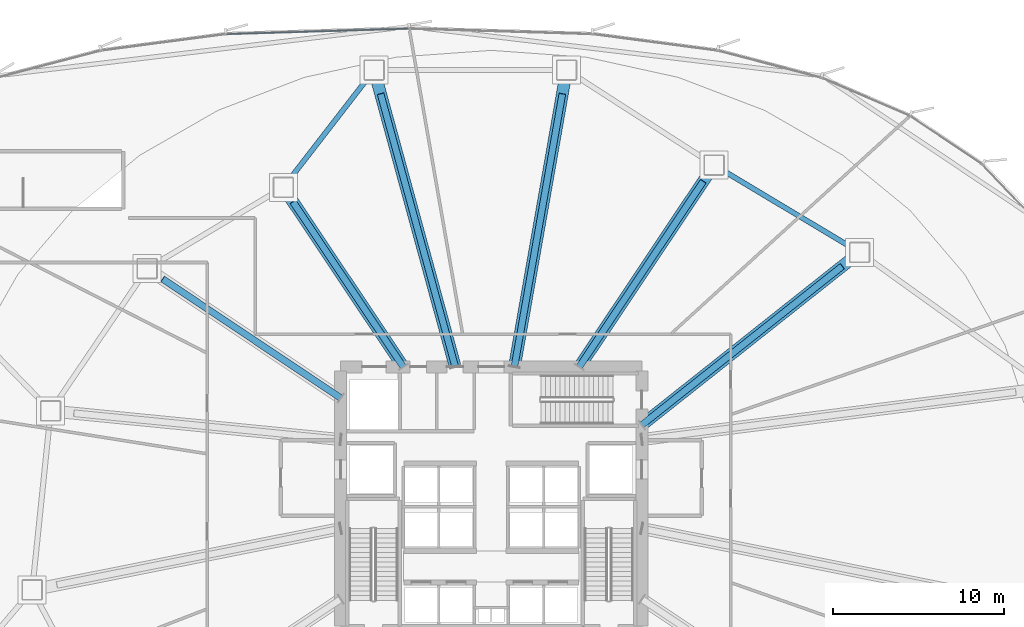
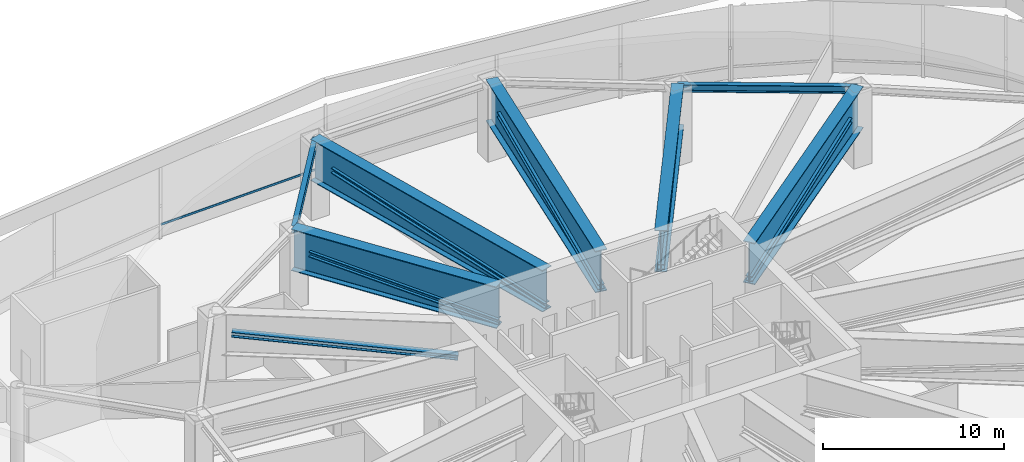
# One storey, part 15 of 36: 7 beams, 7 members, 1 element without a shape of its own.
"""IFC4 building model written with IfcOpenShell, lengths in metres."""

from ifc_helpers import new_model, si_unit, direction, frame, origin, origin_2d, place, context, subcontext, project, spatial, hollow_rectangle, i_section, extrude, source, transform, mapped, material, layer, layer_set, material_profile, profile_set, type_object, element, aggregate, save


model = new_model("IFC4")

# Units and contexts
model_context = context("Model", 3, precision=1e-05, world=origin(), true_north=direction((0.0, 1.0)))
body_context = subcontext(model_context, "Body", "Model", "MODEL_VIEW")
ifc_project = project(units=[si_unit("LENGTHUNIT", "METRE"), si_unit("AREAUNIT", "SQUARE_METRE"), si_unit("VOLUMEUNIT", "CUBIC_METRE"), si_unit("PLANEANGLEUNIT", "RADIAN"), si_unit("MASSUNIT", "GRAM", prefix="KILO"), si_unit("THERMODYNAMICTEMPERATUREUNIT", "KELVIN")], contexts=[model_context])

# Site, building, storey
site_placement = place(None, origin())
site = spatial("IfcSite", under=ifc_project, at=site_placement, CompositionType="ELEMENT")
building_placement = place(site_placement, origin())
building = spatial("IfcBuilding", under=site, at=building_placement, Name="Kethvar Cultural Tower", CompositionType="ELEMENT")
storey_placement = place(building_placement, frame((0.0, 0.0, 24.0)))
storey = spatial("IfcBuildingStorey", under=building, at=storey_placement, Name="L05", CompositionType="ELEMENT", Elevation=24.0)

# Beams
ifc_material_1 = material(Name="Steel S355J2", Category="steel")
ifc_material_profile_1 = material_profile(ifc_material_1, i_section(OverallWidth=0.300048828125, OverallDepth=0.5, WebThickness=0.014404296875, FlangeThickness=0.028076171875, FilletRadius=0.027099609375, at=origin_2d()), Name="Steel S355J2 — HEB500")
ifc_profile_set_1 = profile_set([ifc_material_profile_1], Name="Steel S355J2 — HEB500")
beam_type_1 = type_object("IfcBeamType", Name="BM-SP500", PredefinedType="SPANDREL", material=ifc_profile_set_1)
shared_shape_1 = source(origin(), body_context, "Body", "SweptSolid", [
    extrude(i_section(OverallWidth=0.300048828125, OverallDepth=0.5, WebThickness=0.014404296875, FlangeThickness=0.028076171875, FilletRadius=0.027099609375, at=origin_2d()), origin(), (0.0, 0.0, 1.0), 9.924072265625),
])
beam_1_placement = place(storey_placement, frame((68.33642578125, 42.190185546875, 4.865966796875), z_axis=(-0.857664361463, 0.514209921215, 0.0), x_axis=(-0.514209921215, -0.857664361463, 0.0)))
element("IfcBeam", 1, at=beam_1_placement, inside=storey, type_object=beam_type_1, Name="L05 Podium Ring Beam 02", PredefinedType="SPANDREL", context=body_context, shape_type="MappedRepresentation", body=[
    mapped(shared_shape_1, transform((0.0, 0.0, 0.0), scale=1.0)),
])
shared_shape_2 = source(origin(), body_context, "Body", "SweptSolid", [
    extrude(i_section(OverallWidth=0.300048828125, OverallDepth=0.5, WebThickness=0.014404296875, FlangeThickness=0.028076171875, FilletRadius=0.027099609375, at=origin_2d()), origin(), (0.0, 0.0, 1.0), 8.671630859375),
])
beam_2_placement = place(storey_placement, frame((39.949951171875, 52.85009765625, 4.865966796875), z_axis=(-0.611647801721, -0.791130183124, 0.0), x_axis=(0.791130183124, -0.611647801721, 0.0)))
element("IfcBeam", 2, at=beam_2_placement, inside=storey, type_object=beam_type_1, Name="L05 Podium Ring Beam 05", PredefinedType="SPANDREL", context=body_context, shape_type="MappedRepresentation", body=[
    mapped(shared_shape_2, transform((0.0, 0.0, 0.0), scale=1.0)),
])
ifc_material_2 = material(Name="Steel S460M", Category="steel")
ifc_material_profile_2 = material_profile(ifc_material_2, i_section(OverallWidth=0.699951171875, OverallDepth=2.800048828125, WebThickness=0.031982421875, FlangeThickness=0.050048828125, FilletRadius=0.02392578125, at=origin_2d()), Name="Steel S460M — PG2800x700x50x32")
ifc_profile_set_2 = profile_set([ifc_material_profile_2], Name="Steel S460M — PG2800x700x50x32")
beam_type_2 = type_object("IfcBeamType", Name="BM-TR2800", PredefinedType="BEAM", material=ifc_profile_set_2)
shared_shape_3 = source(origin(), body_context, "Body", "SweptSolid", [
    extrude(i_section(OverallWidth=0.699951171875, OverallDepth=2.800048828125, WebThickness=0.031982421875, FlangeThickness=0.050048828125, FilletRadius=0.02392578125, at=origin_2d()), origin(), (0.0, 0.0, 1.0), 16.248779296875),
])
beam_3_placement = place(storey_placement, frame((55.60009765625, 32.10009765625, 3.716064453125), z_axis=(0.783831288624, 0.620973840813, 0.0), x_axis=(-0.620973840813, 0.783831288624, 0.0)))
element("IfcBeam", 3, at=beam_3_placement, inside=storey, type_object=beam_type_2, Name="L05 Composite Transfer Girder TG-02", PredefinedType="BEAM", context=body_context, shape_type="MappedRepresentation", body=[
    mapped(shared_shape_3, transform((0.0, 0.0, 0.0), scale=1.0)),
])

# Member
ifc_material_profile_3 = material_profile(ifc_material_2, i_section(OverallWidth=0.39306640625, OverallDepth=0.345947265625, WebThickness=0.0244140625, FlangeThickness=0.03759765625, FilletRadius=0.014892578125, at=origin_2d()), Name="Steel S460M — HD400x509")
ifc_profile_set_3 = profile_set([ifc_material_profile_3], Name="Steel S460M — HD400x509")
member_type_1 = type_object("IfcMemberType", Name="MB-TR-DIAG", PredefinedType="BRACE", material=ifc_profile_set_3)
shared_shape_4 = source(origin(), body_context, "Body", "SweptSolid", [
    extrude(i_section(OverallWidth=0.39306640625, OverallDepth=0.345947265625, WebThickness=0.0244140625, FlangeThickness=0.03759765625, FilletRadius=0.014892578125, at=origin_2d()), origin(), (0.0, 0.0, 1.0), 14.980712890625),
])
member_1_placement = place(storey_placement, frame((55.60009765625, 32.10009765625, 2.64990234375), z_axis=(0.78215176561, 0.619639422262, 0.065464508948), x_axis=(-0.620971469214, 0.783833167468, 0.0)))
element("IfcMember", 4, at=member_1_placement, inside=storey, type_object=member_type_1, Name="L05 Transfer Truss Diagonal TD-02", PredefinedType="BRACE", context=body_context, shape_type="MappedRepresentation", body=[
    mapped(shared_shape_4, transform((0.0, 0.0, 0.0), scale=1.0)),
])

# Beam
shared_shape_5 = source(origin(), body_context, "Body", "SweptSolid", [
    extrude(i_section(OverallWidth=0.699951171875, OverallDepth=2.800048828125, WebThickness=0.031982421875, FlangeThickness=0.050048828125, FilletRadius=0.02392578125, at=origin_2d()), origin(), (0.0, 0.0, 1.0), 14.18359375),
])
beam_4_placement = place(storey_placement, frame((51.945068359375, 35.5, 3.716064453125), z_axis=(0.55556584065, 0.831472547174, 0.0), x_axis=(-0.831472547174, 0.55556584065, 0.0)))
element("IfcBeam", 5, at=beam_4_placement, inside=storey, type_object=beam_type_2, Name="L05 Composite Transfer Girder TG-03", PredefinedType="BEAM", context=body_context, shape_type="MappedRepresentation", body=[
    mapped(shared_shape_5, transform((0.0, 0.0, 0.0), scale=1.0)),
])

# Member
shared_shape_6 = source(origin(), body_context, "Body", "SweptSolid", [
    extrude(i_section(OverallWidth=0.39306640625, OverallDepth=0.345947265625, WebThickness=0.0244140625, FlangeThickness=0.03759765625, FilletRadius=0.014892578125, at=origin_2d()), origin(), (0.0, 0.0, 1.0), 13.085693359375),
])
member_2_placement = place(storey_placement, frame((51.945068359375, 35.5, 2.64990234375), z_axis=(0.554000982877, 0.829135774232, 0.074945172365), x_axis=(-0.831474165671, 0.555563418362, 0.0)))
element("IfcMember", 6, at=member_2_placement, inside=storey, type_object=member_type_1, Name="L05 Transfer Truss Diagonal TD-03", PredefinedType="BRACE", context=body_context, shape_type="MappedRepresentation", body=[
    mapped(shared_shape_6, transform((0.0, 0.0, 0.0), scale=1.0)),
])

# Beam
shared_shape_7 = source(origin(), body_context, "Body", "SweptSolid", [
    extrude(i_section(OverallWidth=0.699951171875, OverallDepth=2.800048828125, WebThickness=0.031982421875, FlangeThickness=0.050048828125, FilletRadius=0.02392578125, at=origin_2d()), origin(), (0.0, 0.0, 1.0), 17.61572265625),
])
beam_5_placement = place(storey_placement, frame((48.152587890625, 35.5, 3.716064453125), z_axis=(0.172991485085, 0.984923319903, 0.0), x_axis=(-0.984923319903, 0.172991485085, 0.0)))
element("IfcBeam", 7, at=beam_5_placement, inside=storey, type_object=beam_type_2, Name="L05 Composite Transfer Girder TG-04", PredefinedType="BEAM", context=body_context, shape_type="MappedRepresentation", body=[
    mapped(shared_shape_7, transform((0.0, 0.0, 0.0), scale=1.0)),
])

# Member
shared_shape_8 = source(origin(), body_context, "Body", "SweptSolid", [
    extrude(i_section(OverallWidth=0.39306640625, OverallDepth=0.345947265625, WebThickness=0.0244140625, FlangeThickness=0.03759765625, FilletRadius=0.014892578125, at=origin_2d()), origin(), (0.0, 0.0, 1.0), 16.23583984375),
])
member_3_placement = place(storey_placement, frame((48.152587890625, 35.5, 2.64990234375), z_axis=(0.172685619295, 0.983123109501, 0.060403877805), x_axis=(-0.984921557878, 0.173001516835, 0.0)))
element("IfcMember", 8, at=member_3_placement, inside=storey, type_object=member_type_1, Name="L05 Transfer Truss Diagonal TD-04", PredefinedType="BRACE", context=body_context, shape_type="MappedRepresentation", body=[
    mapped(shared_shape_8, transform((0.0, 0.0, 0.0), scale=1.0)),
])

# Beam
shared_shape_9 = source(origin(), body_context, "Body", "SweptSolid", [
    extrude(i_section(OverallWidth=0.699951171875, OverallDepth=2.800048828125, WebThickness=0.031982421875, FlangeThickness=0.050048828125, FilletRadius=0.02392578125, at=origin_2d()), origin(), (0.0, 0.0, 1.0), 17.987060546875),
])
beam_6_placement = place(storey_placement, frame((44.6943359375, 35.5, 3.716064453125), z_axis=(-0.26376624534, 0.964586630541, 0.0), x_axis=(-0.964586630541, -0.26376624534, 0.0)))
element("IfcBeam", 9, at=beam_6_placement, inside=storey, type_object=beam_type_2, Name="L05 Composite Transfer Girder TG-05", PredefinedType="BEAM", context=body_context, shape_type="MappedRepresentation", body=[
    mapped(shared_shape_9, transform((0.0, 0.0, 0.0), scale=1.0)),
])

# Member
shared_shape_10 = source(origin(), body_context, "Body", "SweptSolid", [
    extrude(i_section(OverallWidth=0.39306640625, OverallDepth=0.345947265625, WebThickness=0.0244140625, FlangeThickness=0.03759765625, FilletRadius=0.014892578125, at=origin_2d()), origin(), (0.0, 0.0, 1.0), 16.576904296875),
])
member_4_placement = place(storey_placement, frame((44.6943359375, 35.5, 2.64990234375), z_axis=(-0.26330200813, 0.962897711799, 0.059161213036), x_axis=(-0.964587242824, -0.263764006228, 0.0)))
element("IfcMember", 10, at=member_4_placement, inside=storey, type_object=member_type_1, Name="L05 Transfer Truss Diagonal TD-05", PredefinedType="BRACE", context=body_context, shape_type="MappedRepresentation", body=[
    mapped(shared_shape_10, transform((0.0, 0.0, 0.0), scale=1.0)),
])

# Beam
shared_shape_11 = source(origin(), body_context, "Body", "SweptSolid", [
    extrude(i_section(OverallWidth=0.699951171875, OverallDepth=2.800048828125, WebThickness=0.031982421875, FlangeThickness=0.050048828125, FilletRadius=0.02392578125, at=origin_2d()), origin(), (0.0, 0.0, 1.0), 12.615966796875),
])
beam_7_placement = place(storey_placement, frame((41.655029296875, 35.5, 3.716064453125), z_axis=(-0.555570723257, 0.831469284736, 0.0), x_axis=(-0.831469284736, -0.555570723257, 0.0)))
element("IfcBeam", 11, at=beam_7_placement, inside=storey, type_object=beam_type_2, Name="L05 Composite Transfer Girder TG-06", PredefinedType="BEAM", context=body_context, shape_type="MappedRepresentation", body=[
    mapped(shared_shape_11, transform((0.0, 0.0, 0.0), scale=1.0)),
])

# Members
shared_shape_12 = source(origin(), body_context, "Body", "SweptSolid", [
    extrude(i_section(OverallWidth=0.39306640625, OverallDepth=0.345947265625, WebThickness=0.0244140625, FlangeThickness=0.03759765625, FilletRadius=0.014892578125, at=origin_2d()), origin(), (0.0, 0.0, 1.0), 11.647705078125),
])
member_5_placement = place(storey_placement, frame((41.655029296875, 35.5, 2.64990234375), z_axis=(-0.553600870503, 0.828514887522, 0.084197133758), x_axis=(-0.831467330775, -0.555573647552, 0.0)))
element("IfcMember", 12, at=member_5_placement, inside=storey, type_object=member_type_1, Name="L05 Transfer Truss Diagonal TD-06", PredefinedType="BRACE", context=body_context, shape_type="MappedRepresentation", body=[
    mapped(shared_shape_12, transform((0.0, 0.0, 0.0), scale=1.0)),
])
shared_shape_13 = source(origin(), body_context, "Body", "SweptSolid", [
    extrude(i_section(OverallWidth=0.39306640625, OverallDepth=0.345947265625, WebThickness=0.0244140625, FlangeThickness=0.03759765625, FilletRadius=0.014892578125, at=origin_2d()), origin(), (0.0, 0.0, 1.0), 12.55859375),
])
member_6_placement = place(storey_placement, frame((38.0, 33.679931640625, 2.64990234375), z_axis=(-0.828931702854, 0.553871790479, 0.078091431763), x_axis=(-0.55556838449, -0.831470847448, 0.0)))
element("IfcMember", 13, at=member_6_placement, inside=storey, type_object=member_type_1, Name="L05 Transfer Truss Diagonal TD-07", PredefinedType="BRACE", context=body_context, shape_type="MappedRepresentation", body=[
    mapped(shared_shape_13, transform((0.0, 0.0, 0.0), scale=1.0)),
])

# Curtain wall, member
ifc_material_3 = material(Name="Aluminium 6063-T6", Category="aluminium")
ifc_layer = layer(ifc_material_3, 0.179931640625, Name="Aluminium 6063-T6", Category="aluminium")
ifc_layer_set = layer_set([ifc_layer], Name="Aluminium 6063-T6 (180 mm)")
curtain_wall_type = type_object("IfcCurtainWallType", Name="CW-SYS-01-POD", PredefinedType="NOTDEFINED", material=ifc_layer_set)
curtain_wall_placement = place(storey_placement, origin())
curtain_wall = element("IfcCurtainWall", 14, at=curtain_wall_placement, inside=storey, type_object=curtain_wall_type, Name="L05 Curtain Wall Run 02", PredefinedType="NOTDEFINED")
ifc_material_profile_4 = material_profile(ifc_material_3, hollow_rectangle(XDim=0.06005859375, YDim=0.139892578125, WallThickness=0.0048828125, at=origin_2d()), Name="Aluminium 6063-T6 — RHS140x60x5")
ifc_profile_set_4 = profile_set([ifc_material_profile_4], Name="Aluminium 6063-T6 — RHS140x60x5")
member_type_2 = type_object("IfcMemberType", Name="CW-SYS-01-POD-TRN", PredefinedType="USERDEFINED", material=ifc_profile_set_4)
shared_shape_14 = source(origin(), body_context, "Body", "SweptSolid", [
    extrude(hollow_rectangle(XDim=0.06005859375, YDim=0.139892578125, WallThickness=0.0048828125, at=origin_2d()), origin(), (0.0, 0.0, 1.0), 10.61279296875),
])
member_7_placement = place(storey_placement, frame((41.949951171875, 55.268310546875, 0.949951171875), z_axis=(-0.999545810513, -0.030135903608, 0.0), x_axis=(0.030135903608, -0.999545810513, 0.0)))
member_7 = element("IfcMember", 15, at=member_7_placement, type_object=member_type_2, Name="CW-L05-R02 Transom 4", ObjectType="TRANSOM", PredefinedType="USERDEFINED", context=body_context, shape_type="MappedRepresentation", body=[
    mapped(shared_shape_14, transform((0.0, 0.0, 0.0), scale=1.0)),
])
aggregate(curtain_wall, [member_7])

save(model, "model.ifc")
